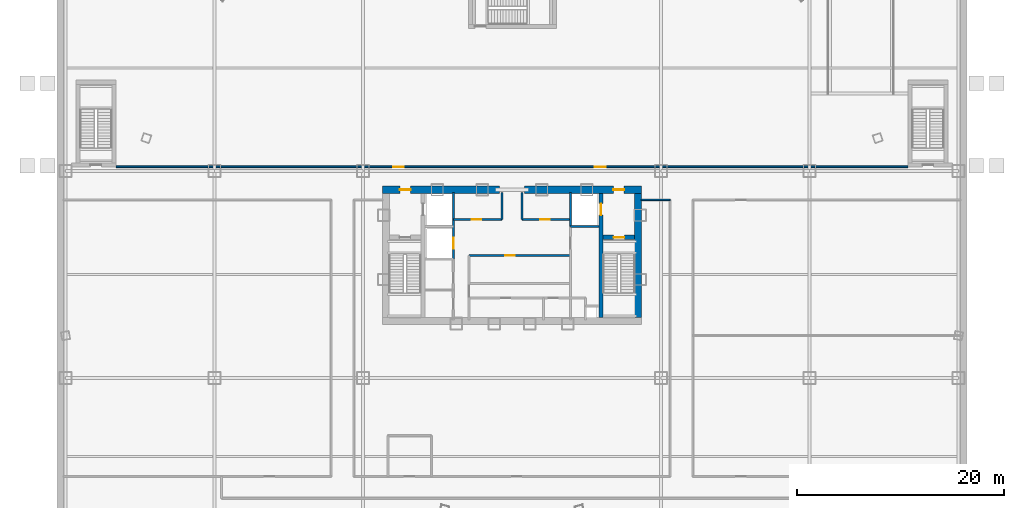
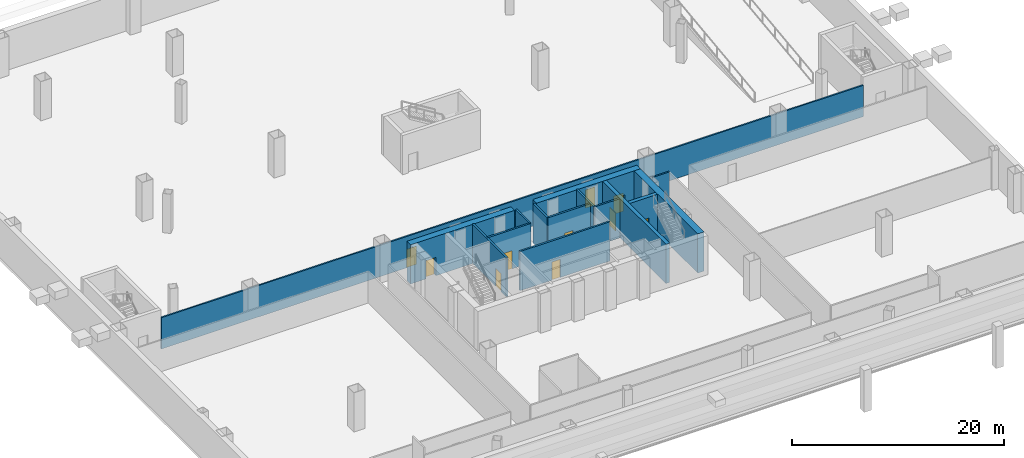
# One storey, part 10 of 16: 15 walls, 10 doors, 10 openings.
"""IFC4 building model written with IfcOpenShell, lengths in metres."""

import ifcopenshell
import ifcopenshell.guid

model = None  # the IFC model being written
_history = None  # IfcOwnerHistory: only IFC2X3 demands one
_inside = {}  # id of a spatial element -> (the spatial element, [elements in it])
_under = {}  # id of a project, library or spatial element -> (it, [spatial elements below it])
_declared = {}  # id of a project -> (the project, [libraries it declares])
_typed = {}  # id of a type object -> (the type object, [elements of that type])
_made_of = {}  # id of a material, layer set ... -> (it, [elements and type objects made of it])


def new_model(schema):
    """Start an empty IFC model of exactly this schema.

    Asked for "IFC4X3", IfcOpenShell would pick the latest addendum, in which some entities
    have other attributes; the version numbers below select the first issue.
    IFC2X3 requires an IfcOwnerHistory on every rooted entity: one is made here for all.
    """
    global model, _history
    if schema == "IFC4X3":
        model = ifcopenshell.file(schema_version=(4, 3, 0, 0))
    else:
        model = ifcopenshell.file(schema=schema)
    _inside.clear()
    _under.clear()
    _declared.clear()
    _typed.clear()
    _made_of.clear()
    _history = None
    if model.schema == "IFC2X3":
        org = make("IfcOrganization", Name="unknown")
        user = make(
            "IfcPersonAndOrganization",
            ThePerson=make("IfcPerson", FamilyName="unknown"),
            TheOrganization=org,
        )
        app = make(
            "IfcApplication",
            ApplicationDeveloper=org,
            Version="unknown",
            ApplicationFullName="unknown",
            ApplicationIdentifier="unknown",
        )
        _history = make(
            "IfcOwnerHistory",
            OwningUser=user,
            OwningApplication=app,
            ChangeAction="ADDED",
            CreationDate=0,
        )
    return model


def make(cls, **values):
    """One entity of the class cls with the attributes given. An attribute that is None is left unset."""
    return model.create_entity(
        cls, **{name: value for name, value in values.items() if value is not None}
    )


def rooted(cls, **values):
    """An entity with a GlobalId (a new one), such as an element, a storey or a relation."""
    return make(cls, GlobalId=ifcopenshell.guid.new(), OwnerHistory=_history, **values)


def si_unit(unit_type, name, prefix=None):
    """IfcSIUnit, for example si_unit("LENGTHUNIT", "METRE", prefix="MILLI")."""
    return make("IfcSIUnit", UnitType=unit_type, Prefix=prefix, Name=name)


def assignment(units):
    """IfcUnitAssignment: the units of a project."""
    return None if units is None else make("IfcUnitAssignment", Units=units)


def point(xyz):
    """IfcCartesianPoint."""
    return None if xyz is None else make("IfcCartesianPoint", Coordinates=xyz)


def direction(xyz):
    """IfcDirection."""
    return None if xyz is None else make("IfcDirection", DirectionRatios=xyz)


def frame(location, z_axis=None, x_axis=None):
    """IfcAxis2Placement3D, a coordinate frame: its origin and axes. An axis left out is left unset."""
    return make(
        "IfcAxis2Placement3D",
        Location=point(location),
        Axis=direction(z_axis),
        RefDirection=direction(x_axis),
    )


def frame_2d(location, x_axis=None):
    """IfcAxis2Placement2D, a coordinate frame in the plane: its origin and x axis."""
    return make(
        "IfcAxis2Placement2D", Location=point(location), RefDirection=direction(x_axis)
    )


def origin():
    """The frame at (0, 0, 0) with its axes left unset."""
    return frame((0.0, 0.0, 0.0))


def origin_with_axes():
    """The frame at (0, 0, 0) with the z axis (0, 0, 1) and the x axis (1, 0, 0) written out."""
    return frame((0.0, 0.0, 0.0), z_axis=(0.0, 0.0, 1.0), x_axis=(1.0, 0.0, 0.0))


def place(relative_to, where):
    """IfcLocalPlacement: puts the frame where relative to a parent placement (None: the world)."""
    return make(
        "IfcLocalPlacement", PlacementRelTo=relative_to, RelativePlacement=where
    )


def context(
    kind, dimensions, precision=None, world=None, true_north=None, identifier=None
):
    """IfcGeometricRepresentationContext, for example the 3D "Model" context."""
    return make(
        "IfcGeometricRepresentationContext",
        ContextIdentifier=identifier,
        ContextType=kind,
        CoordinateSpaceDimension=dimensions,
        Precision=precision,
        WorldCoordinateSystem=world,
        TrueNorth=true_north,
    )


def subcontext(parent, identifier, kind, view, scale=None):
    """IfcGeometricRepresentationSubContext, for example "Body" below "Model"."""
    return make(
        "IfcGeometricRepresentationSubContext",
        ContextIdentifier=identifier,
        ContextType=kind,
        ParentContext=parent,
        TargetScale=scale,
        TargetView=view,
    )


def project(units=None, contexts=None):
    """IfcProject with its units and contexts."""
    return rooted(
        "IfcProject",
        Name="project",
        RepresentationContexts=contexts,
        UnitsInContext=assignment(units),
    )


def spatial(cls, under=None, at=None, **own):
    """A site, building, storey or space (cls), placed at a placement, below another one or the project."""
    s = rooted(cls, ObjectPlacement=at, **own)
    if under is not None:
        _under.setdefault(under.id(), (under, []))[1].append(s)
    return s


def profile(cls, at=None, kind="AREA", **sizes):
    """A parametric profile (cls). Its sizes go by their IFC names, for example OverallWidth=200.0."""
    return make(cls, ProfileType=kind, Position=at, **sizes)


def rectangle(**sizes):
    """IfcRectangleProfileDef."""
    return profile("IfcRectangleProfileDef", **sizes)


def extrude(swept, where, along, depth):
    """IfcExtrudedAreaSolid: the profile swept, set in the frame where, extruded along a direction by depth."""
    return make(
        "IfcExtrudedAreaSolid",
        SweptArea=swept,
        Position=where,
        ExtrudedDirection=direction(along),
        Depth=depth,
    )


def shape(context_of_items, identifier, shape_type, items):
    """IfcShapeRepresentation: the items that make up one representation, for example the "Body"."""
    return make(
        "IfcShapeRepresentation",
        ContextOfItems=context_of_items,
        RepresentationIdentifier=identifier,
        RepresentationType=shape_type,
        Items=items,
    )


def source(mapping_origin, context_of_items, identifier, shape_type, items):
    """IfcRepresentationMap: a shape defined once, which mapped items show again and again."""
    return make(
        "IfcRepresentationMap",
        MappingOrigin=mapping_origin,
        MappedRepresentation=shape(context_of_items, identifier, shape_type, items),
    )


def transform(
    local_origin,
    x_axis=None,
    y_axis=None,
    z_axis=None,
    scale=None,
    scale2=None,
    scale3=None,
    uniform=True,
):
    """IfcCartesianTransformationOperator3D, or its non-uniform kind. x_axis, y_axis, z_axis: its Axis1, 2, 3."""
    if uniform:
        return make(
            "IfcCartesianTransformationOperator3D",
            Axis1=direction(x_axis),
            Axis2=direction(y_axis),
            LocalOrigin=point(local_origin),
            Scale=scale,
            Axis3=direction(z_axis),
        )
    return make(
        "IfcCartesianTransformationOperator3DnonUniform",
        Axis1=direction(x_axis),
        Axis2=direction(y_axis),
        LocalOrigin=point(local_origin),
        Scale=scale,
        Axis3=direction(z_axis),
        Scale2=scale2,
        Scale3=scale3,
    )


def mapped(mapping_source, mapping_target):
    """IfcMappedItem: shows the shape of a source again, moved by a transform."""
    return make(
        "IfcMappedItem", MappingSource=mapping_source, MappingTarget=mapping_target
    )


def material(Name=None, Category=None):
    """IfcMaterial."""
    return make("IfcMaterial", Name=Name, Category=Category)


def layer(
    of_material, thickness, ventilated=None, Name=None, Category=None, Priority=None
):
    """IfcMaterialLayer: one layer of a wall or slab, of a material (None: an air gap)."""
    return make(
        "IfcMaterialLayer",
        Material=of_material,
        LayerThickness=thickness,
        IsVentilated=ventilated,
        Name=Name,
        Category=Category,
        Priority=Priority,
    )


def layer_set(layers, Name=None):
    """IfcMaterialLayerSet."""
    return make("IfcMaterialLayerSet", MaterialLayers=layers, LayerSetName=Name)


def made_of(thing, what):
    """Note that an element or type object is made of a material, layer set ...; save() writes the relation."""
    if what is not None:
        _made_of.setdefault(what.id(), (what, []))[1].append(thing)
    return thing


def type_object(cls, material=None, **own):
    """A type object (cls), such as IfcWallType, which elements share."""
    return made_of(rooted(cls, **own), material)


def element(
    cls,
    number,
    at=None,
    inside=None,
    cuts=None,
    type_object=None,
    material=None,
    context=None,
    identifier="Body",
    shape_type=None,
    held_by="IfcProductDefinitionShape",
    body=None,
    shapes=None,
    **own,
):
    """One element of the class cls, such as IfcWall. Its Tag is "e" and its number.

    at: its placement. inside: the storey or other place that contains it. cuts: it is an
    opening in that element (IfcRelVoidsElement). A single representation is given by context,
    identifier, shape_type and body (its items); several are given by shapes. held_by: the class
    of the entity that holds the representations. save() writes the other relations.
    """
    e = rooted(cls, Tag="e%d" % number, ObjectPlacement=at, **own)
    if body is not None:
        shapes = [shape(context, identifier, shape_type, body)]
    if shapes is not None:
        e.Representation = make(held_by, Representations=shapes)
    if inside is not None:
        _inside.setdefault(inside.id(), (inside, []))[1].append(e)
    if cuts is not None:
        rooted(
            "IfcRelVoidsElement", RelatingBuildingElement=cuts, RelatedOpeningElement=e
        )
    if type_object is not None:
        _typed.setdefault(type_object.id(), (type_object, []))[1].append(e)
    return made_of(e, material)


def fill(opening, filler):
    """IfcRelFillsElement: the door or window that sits in an opening."""
    return rooted(
        "IfcRelFillsElement",
        RelatingOpeningElement=opening,
        RelatedBuildingElement=filler,
    )


def aggregate(whole, parts):
    """IfcRelAggregates: a whole, such as a stair, and the parts it consists of."""
    return rooted("IfcRelAggregates", RelatingObject=whole, RelatedObjects=parts)


def save(model, path):
    """Write the relations noted so far, then the file.

    IfcRelAggregates (storeys below a building ...), IfcRelContainedInSpatialStructure (elements
    in a storey), IfcRelDefinesByType, IfcRelAssociatesMaterial and IfcRelDeclares: one each for
    every whole, place, type object, material and project.
    """
    for whole, parts in _under.values():
        aggregate(whole, parts)
    for where, things in _inside.values():
        rooted(
            "IfcRelContainedInSpatialStructure",
            RelatedElements=things,
            RelatingStructure=where,
        )
    for kind, things in _typed.values():
        rooted("IfcRelDefinesByType", RelatedObjects=things, RelatingType=kind)
    for what, things in _made_of.values():
        rooted("IfcRelAssociatesMaterial", RelatedObjects=things, RelatingMaterial=what)
    for by, libraries in _declared.values():
        rooted("IfcRelDeclares", RelatingContext=by, RelatedDefinitions=libraries)
    model.write(path)


model = new_model("IFC4")

# Units and contexts
model_context = context("Model", 3, precision=1e-05, world=origin(), true_north=direction((0.0, 1.0)))
body_context = subcontext(model_context, "Body", "Model", "MODEL_VIEW")
ifc_project = project(units=[si_unit("LENGTHUNIT", "METRE"), si_unit("AREAUNIT", "SQUARE_METRE"), si_unit("VOLUMEUNIT", "CUBIC_METRE"), si_unit("PLANEANGLEUNIT", "RADIAN"), si_unit("MASSUNIT", "GRAM", prefix="KILO"), si_unit("THERMODYNAMICTEMPERATUREUNIT", "KELVIN"), si_unit("POWERUNIT", "WATT")], contexts=[model_context])

# Site, building, storey
site_placement = place(None, origin())
site = spatial("IfcSite", under=ifc_project, at=site_placement, CompositionType="ELEMENT")
building_placement = place(site_placement, origin())
building = spatial("IfcBuilding", under=site, at=building_placement, Name="Yunzhuo Pagoda Commons", CompositionType="ELEMENT")
storey_placement = place(building_placement, frame((0.0, 0.0, -4.800048828125)))
storey = spatial("IfcBuildingStorey", under=building, at=storey_placement, Name="B01", CompositionType="ELEMENT", Elevation=-4.800048828125)

# Wall, opening, door
ifc_material_1 = material(Name="Concrete C60", Category="concrete")
ifc_layer_1 = layer(ifc_material_1, 0.699951171875)
ifc_layer_set_1 = layer_set([ifc_layer_1], Name="Concrete C60")
wall_type_1 = type_object("IfcWallType", Name="W-C01 Lower Core Shear Wall 700", PredefinedType="SHEAR", material=ifc_layer_set_1)
wall_1_placement = place(storey_placement, frame((35.449951171875, 40.199951171875, 0.0), z_axis=(0.0, 0.0, 1.0), x_axis=(1.0, 0.0, 0.0)))
wall_1 = element("IfcWall", 1, at=wall_1_placement, inside=storey, type_object=wall_type_1, Name="B01 core shear wall NW", PredefinedType="SHEAR", context=body_context, shape_type="SweptSolid", body=[
    extrude(rectangle(XDim=11.35009765625, YDim=0.699951171875, at=frame_2d((5.675048828125, 0.0))), origin(), (0.0, 0.0, 1.0), 4.52001953125),
])
opening_1_placement = place(wall_1_placement, frame((1.699951171875, 0.0, 0.0)))
opening_1 = element("IfcOpeningElement", 2, at=opening_1_placement, cuts=wall_1, Name="Opening D-02", PredefinedType="OPENING", context=body_context, shape_type="SweptSolid", body=[
    extrude(rectangle(XDim=1.050048828125, YDim=2.10009765625, at=frame_2d((0.52490234375, 1.050048828125))), frame((0.0, 0.35986328125, 0.0), z_axis=(0.0, -1.0, 0.0), x_axis=(1.0, 0.0, 0.0)), (0.0, 0.0, 1.0), 0.719970703125),
])
ifc_material_2 = material(Name="Galvanized fire-resisting metal leaf")
door_type_1 = type_object("IfcDoorType", Name="D-02 Firefighting Lobby & Refuge Fire Door 1050x2100", OperationType="NOTDEFINED", PredefinedType="DOOR", material=ifc_material_2)
shared_shape_1 = source(origin(), body_context, "Body", "SweptSolid", [
    extrude(rectangle(XDim=1.050048828125, YDim=2.10009765625, at=frame_2d((0.52490234375, 1.050048828125))), frame((0.0, 0.02490234375, 0.0), z_axis=(0.0, -1.0, 0.0), x_axis=(1.0, 0.0, 0.0)), (0.0, 0.0, 1.0), 0.050048828125),
])
door_1_placement = place(opening_1_placement, frame((1.050048828125, 0.0, 0.0), z_axis=(0.0, 0.0, 1.0), x_axis=(-1.0, 0.0, 0.0)))
door_1 = element("IfcDoor", 3, at=door_1_placement, inside=storey, type_object=door_type_1, Name="B01 Firefighting Lobby 1 fire door", OperationType="SINGLE_SWING_LEFT", OverallHeight=2.10009765625, OverallWidth=1.050048828125, PredefinedType="DOOR", context=body_context, shape_type="MappedRepresentation", body=[
    mapped(shared_shape_1, transform((0.0, 0.0, 0.0), scale=1.0)),
])
fill(opening_1, door_1)

wall_2_placement = place(storey_placement, frame((49.199951171875, 40.199951171875, 0.0), z_axis=(0.0, 0.0, 1.0), x_axis=(1.0, 0.0, 0.0)))
wall_2 = element("IfcWall", 4, at=wall_2_placement, inside=storey, type_object=wall_type_1, Name="B01 core shear wall NE", PredefinedType="SHEAR", context=body_context, shape_type="SweptSolid", body=[
    extrude(rectangle(XDim=11.35009765625, YDim=0.699951171875, at=frame_2d((5.675048828125, 0.0))), origin(), (0.0, 0.0, 1.0), 4.52001953125),
])
opening_2_placement = place(wall_2_placement, frame((8.60009765625, 0.0, 0.0)))
opening_2 = element("IfcOpeningElement", 5, at=opening_2_placement, cuts=wall_2, Name="Opening D-02", PredefinedType="OPENING", context=body_context, shape_type="SweptSolid", body=[
    extrude(rectangle(XDim=1.050048828125, YDim=2.10009765625, at=frame_2d((0.52490234375, 1.050048828125))), frame((0.0, 0.35986328125, 0.0), z_axis=(0.0, -1.0, 0.0), x_axis=(1.0, 0.0, 0.0)), (0.0, 0.0, 1.0), 0.719970703125),
])
door_2_placement = place(opening_2_placement, frame((1.050048828125, 0.0, 0.0), z_axis=(0.0, 0.0, 1.0), x_axis=(-1.0, 0.0, 0.0)))
door_2 = element("IfcDoor", 6, at=door_2_placement, inside=storey, type_object=door_type_1, Name="B01 Firefighting Lobby 2 fire door", OperationType="SINGLE_SWING_RIGHT", OverallHeight=2.10009765625, OverallWidth=1.050048828125, PredefinedType="DOOR", context=body_context, shape_type="MappedRepresentation", body=[
    mapped(shared_shape_1, transform((0.0, 0.0, 0.0), scale=1.0)),
])
fill(opening_2, door_2)

# Wall
wall_3_placement = place(storey_placement, frame((60.199951171875, 27.85009765625, 0.0), z_axis=(0.0, 0.0, 1.0), x_axis=(0.0, 1.0, 0.0)))
element("IfcWall", 7, at=wall_3_placement, inside=storey, type_object=wall_type_1, Name="B01 core shear wall E", PredefinedType="SHEAR", context=body_context, shape_type="SweptSolid", body=[
    extrude(rectangle(XDim=12.0, YDim=0.699951171875, at=frame_2d((6.0, 0.0))), origin(), (0.0, 0.0, 1.0), 4.52001953125),
])

# Wall, openings, doors
ifc_material_3 = material(Name="Gypsum plasterboard on acoustic stud")
ifc_layer_2 = layer(ifc_material_3, 0.159912109375)
ifc_layer_set_2 = layer_set([ifc_layer_2], Name="Gypsum plasterboard on acoustic stud")
wall_type_2 = type_object("IfcWallType", Name="W-COR1 Tower Rated Corridor Wall 160", PredefinedType="PARTITIONING", material=ifc_layer_set_2)
wall_4_placement = place(storey_placement, frame((9.699951171875, 42.419921875, 0.0), z_axis=(0.0, 0.0, 1.0), x_axis=(1.0, 0.0, 0.0)))
wall_4 = element("IfcWall", 8, at=wall_4_placement, inside=storey, type_object=wall_type_2, Name="B01 interior wall IW-B01-CPSEPW", PredefinedType="PARTITIONING", context=body_context, shape_type="SweptSolid", body=[
    extrude(rectangle(XDim=76.60009765625, YDim=0.159912109375, at=frame_2d((38.300048828125, 0.0))), origin(), (0.0, 0.0, 1.0), 3.6201171875),
])
opening_3_placement = place(wall_4_placement, frame((26.800048828125, 0.0, 0.0)))
opening_3 = element("IfcOpeningElement", 9, at=opening_3_placement, cuts=wall_4, Name="Opening D-02", PredefinedType="OPENING", context=body_context, shape_type="SweptSolid", body=[
    extrude(rectangle(XDim=1.050048828125, YDim=2.10009765625, at=frame_2d((0.52490234375, 1.050048828125))), frame((0.0, 0.08984375, 0.0), z_axis=(0.0, -1.0, 0.0), x_axis=(1.0, 0.0, 0.0)), (0.0, 0.0, 1.0), 0.179931640625),
])
opening_4_placement = place(wall_4_placement, frame((46.300048828125, 0.0, 0.0)))
opening_4 = element("IfcOpeningElement", 10, at=opening_4_placement, cuts=wall_4, Name="Opening D-02", PredefinedType="OPENING", context=body_context, shape_type="SweptSolid", body=[
    extrude(rectangle(XDim=1.050048828125, YDim=2.10009765625, at=frame_2d((0.52490234375, 1.050048828125))), frame((0.0, 0.08984375, 0.0), z_axis=(0.0, -1.0, 0.0), x_axis=(1.0, 0.0, 0.0)), (0.0, 0.0, 1.0), 0.179931640625),
])
door_3_placement = place(opening_3_placement, origin_with_axes())
door_3 = element("IfcDoor", 11, at=door_3_placement, inside=storey, type_object=door_type_1, Name="B01 car park vestibule door W", OperationType="SINGLE_SWING_LEFT", OverallHeight=2.10009765625, OverallWidth=1.050048828125, PredefinedType="DOOR", context=body_context, shape_type="MappedRepresentation", body=[
    mapped(shared_shape_1, transform((0.0, 0.0, 0.0), scale=1.0)),
])
fill(opening_3, door_3)
door_4_placement = place(opening_4_placement, origin_with_axes())
door_4 = element("IfcDoor", 12, at=door_4_placement, inside=storey, type_object=door_type_1, Name="B01 car park vestibule door E", OperationType="SINGLE_SWING_RIGHT", OverallHeight=2.10009765625, OverallWidth=1.050048828125, PredefinedType="DOOR", context=body_context, shape_type="MappedRepresentation", body=[
    mapped(shared_shape_1, transform((0.0, 0.0, 0.0), scale=1.0)),
])
fill(opening_4, door_4)

# Wall
wall_5_placement = place(storey_placement, frame((60.5, 39.219970703125, 0.0), z_axis=(0.0, 0.0, 1.0), x_axis=(1.0, 0.0, 0.0)))
element("IfcWall", 13, at=wall_5_placement, inside=storey, type_object=wall_type_2, Name="B01 interior wall IW-B01-SMNE", PredefinedType="PARTITIONING", context=body_context, shape_type="SweptSolid", body=[
    extrude(rectangle(XDim=2.800048828125, YDim=0.159912109375, at=frame_2d((1.39990234375, 0.0))), origin(), (0.0, 0.0, 1.0), 3.6201171875),
])

# Wall, opening, door
ifc_layer_3 = layer(ifc_material_1, 0.39990234375)
ifc_layer_set_3 = layer_set([ifc_layer_3], Name="Concrete C60")
wall_type_3 = type_object("IfcWallType", Name="W-S01 Internal Core Shear Web 400", PredefinedType="SHEAR", material=ifc_layer_set_3)
wall_6_placement = place(storey_placement, frame((56.60009765625, 27.85009765625, 0.0), z_axis=(0.0, 0.0, 1.0), x_axis=(0.0, 1.0, 0.0)))
wall_6 = element("IfcWall", 14, at=wall_6_placement, inside=storey, type_object=wall_type_3, Name="B01 core shear wall WEBE", PredefinedType="SHEAR", context=body_context, shape_type="SweptSolid", body=[
    extrude(rectangle(XDim=12.0, YDim=0.39990234375, at=frame_2d((6.0, 0.0))), origin(), (0.0, 0.0, 1.0), 4.52001953125),
])
opening_5_placement = place(wall_6_placement, frame((9.89990234375, 0.0, 0.0)))
opening_5 = element("IfcOpeningElement", 15, at=opening_5_placement, cuts=wall_6, Name="Opening LD-01", PredefinedType="OPENING", context=body_context, shape_type="SweptSolid", body=[
    extrude(rectangle(XDim=1.10009765625, YDim=2.10009765625, at=frame_2d((0.550048828125, 1.050048828125))), frame((0.0, 0.2099609375, 0.0), z_axis=(0.0, -1.0, 0.0), x_axis=(1.0, 0.0, 0.0)), (0.0, 0.0, 1.0), 0.419921875),
])
door_type_2 = type_object("IfcDoorType", Name="LD-01 Firefighting Lift Landing Door 1100x2100", OperationType="DOUBLE_DOOR_SLIDING", PredefinedType="DOOR", material=ifc_material_2)
shared_shape_2 = source(origin(), body_context, "Body", "SweptSolid", [
    extrude(rectangle(XDim=1.10009765625, YDim=2.10009765625, at=frame_2d((0.550048828125, 1.050048828125))), frame((0.0, 0.02490234375, 0.0), z_axis=(0.0, -1.0, 0.0), x_axis=(1.0, 0.0, 0.0)), (0.0, 0.0, 1.0), 0.050048828125),
])
door_5_placement = place(opening_5_placement, origin_with_axes())
door_5 = element("IfcDoor", 16, at=door_5_placement, inside=storey, type_object=door_type_2, Name="B01 Firefighting lift FL-2 landing door", OperationType="DOUBLE_DOOR_SLIDING", OverallHeight=2.10009765625, OverallWidth=1.10009765625, PredefinedType="DOOR", context=body_context, shape_type="MappedRepresentation", body=[
    mapped(shared_shape_2, transform((0.0, 0.0, 0.0), scale=1.0)),
])
fill(opening_5, door_5)

wall_7_placement = place(storey_placement, frame((56.800048828125, 35.60009765625, 0.0), z_axis=(0.0, 0.0, 1.0), x_axis=(1.0, 0.0, 0.0)))
wall_7 = element("IfcWall", 17, at=wall_7_placement, inside=storey, type_object=wall_type_3, Name="B01 core shear wall STE", PredefinedType="SHEAR", context=body_context, shape_type="SweptSolid", body=[
    extrude(rectangle(XDim=3.050048828125, YDim=0.39990234375, at=frame_2d((1.52490234375, 0.0))), origin(), (0.0, 0.0, 1.0), 4.52001953125),
])
opening_6_placement = place(wall_7_placement, frame((1.02001953125, 0.0, 0.0)))
opening_6 = element("IfcOpeningElement", 18, at=opening_6_placement, cuts=wall_7, Name="Opening D-01", PredefinedType="OPENING", context=body_context, shape_type="SweptSolid", body=[
    extrude(rectangle(XDim=1.050048828125, YDim=2.10009765625, at=frame_2d((0.52490234375, 1.050048828125))), frame((0.0, 0.2099609375, 0.0), z_axis=(0.0, -1.0, 0.0), x_axis=(1.0, 0.0, 0.0)), (0.0, 0.0, 1.0), 0.419921875),
])
door_type_3 = type_object("IfcDoorType", Name="D-01 Smokeproof Stair Fire Door 1050x2100", OperationType="NOTDEFINED", PredefinedType="DOOR", material=ifc_material_2)
door_6_placement = place(opening_6_placement, frame((1.050048828125, 0.0, 0.0), z_axis=(0.0, 0.0, 1.0), x_axis=(-1.0, 0.0, 0.0)))
door_6 = element("IfcDoor", 19, at=door_6_placement, inside=storey, type_object=door_type_3, Name="B01 Stair ST2 fire door", OperationType="SINGLE_SWING_RIGHT", OverallHeight=2.10009765625, OverallWidth=1.050048828125, PredefinedType="DOOR", context=body_context, shape_type="MappedRepresentation", body=[
    mapped(shared_shape_1, transform((0.0, 0.0, 0.0), scale=1.0)),
])
fill(opening_6, door_6)

ifc_material_4 = material(Name="Concrete C40", Category="concrete")
ifc_layer_4 = layer(ifc_material_4, 0.199951171875)
ifc_layer_set_4 = layer_set([ifc_layer_4], Name="Concrete C40")
wall_type_4 = type_object("IfcWallType", Name="W-SHF Shaft & Stair Enclosure Wall 200", PredefinedType="SOLIDWALL", material=ifc_layer_set_4)
wall_8_placement = place(storey_placement, frame((42.320068359375, 33.5, 0.0), z_axis=(0.0, 0.0, 1.0), x_axis=(0.0, 1.0, 0.0)))
wall_8 = element("IfcWall", 20, at=wall_8_placement, inside=storey, type_object=wall_type_4, Name="B01 interior wall IW-B01-FL1E", PredefinedType="SOLIDWALL", context=body_context, shape_type="SweptSolid", body=[
    extrude(rectangle(XDim=6.449951171875, YDim=0.199951171875, at=frame_2d((3.22509765625, 0.0))), origin(), (0.0, 0.0, 1.0), 4.52001953125),
])
opening_7_placement = place(wall_8_placement, frame((1.0, 0.0, 0.0)))
opening_7 = element("IfcOpeningElement", 21, at=opening_7_placement, cuts=wall_8, Name="Opening LD-02", PredefinedType="OPENING", context=body_context, shape_type="SweptSolid", body=[
    extrude(rectangle(XDim=1.050048828125, YDim=2.10009765625, at=frame_2d((0.52490234375, 1.050048828125))), frame((0.0, 0.10986328125, 0.0), z_axis=(0.0, -1.0, 0.0), x_axis=(1.0, 0.0, 0.0)), (0.0, 0.0, 1.0), 0.219970703125),
])
door_type_4 = type_object("IfcDoorType", Name="LD-02 Passenger Lift Landing Door 1050x2100", OperationType="DOUBLE_DOOR_SLIDING", PredefinedType="DOOR", material=ifc_material_2)
door_7_placement = place(opening_7_placement, origin_with_axes())
door_7 = element("IfcDoor", 22, at=door_7_placement, inside=storey, type_object=door_type_4, Name="B01 Service lift SL-1 landing door", OperationType="DOUBLE_DOOR_SLIDING", OverallHeight=2.10009765625, OverallWidth=1.050048828125, PredefinedType="DOOR", context=body_context, shape_type="MappedRepresentation", body=[
    mapped(shared_shape_1, transform((0.0, 0.0, 0.0), scale=1.0)),
])
fill(opening_7, door_7)

# Walls
wall_9_placement = place(storey_placement, frame((53.679931640625, 36.64990234375, 0.0), z_axis=(0.0, 0.0, 1.0), x_axis=(0.0, 1.0, 0.0)))
element("IfcWall", 23, at=wall_9_placement, inside=storey, type_object=wall_type_4, Name="B01 interior wall IW-B01-FL2W", PredefinedType="SOLIDWALL", context=body_context, shape_type="SweptSolid", body=[
    extrude(rectangle(XDim=3.300048828125, YDim=0.199951171875, at=frame_2d((1.64990234375, 0.0))), origin(), (0.0, 0.0, 1.0), 4.52001953125),
])
wall_10_placement = place(storey_placement, frame((53.679931640625, 36.64990234375, 0.0), z_axis=(0.0, 0.0, 1.0), x_axis=(1.0, 0.0, 0.0)))
element("IfcWall", 24, at=wall_10_placement, inside=storey, type_object=wall_type_4, Name="B01 interior wall IW-B01-FL2S", PredefinedType="SOLIDWALL", context=body_context, shape_type="SweptSolid", body=[
    extrude(rectangle(XDim=2.719970703125, YDim=0.199951171875, at=frame_2d((1.35986328125, 0.0))), origin(), (0.0, 0.0, 1.0), 4.52001953125),
])

# Wall, opening, door
wall_11_placement = place(storey_placement, frame((42.320068359375, 37.320068359375, 0.0), z_axis=(0.0, 0.0, 1.0), x_axis=(1.0, 0.0, 0.0)))
wall_11 = element("IfcWall", 25, at=wall_11_placement, inside=storey, type_object=wall_type_4, Name="B01 interior wall IW-B01-LBNW", PredefinedType="SOLIDWALL", context=body_context, shape_type="SweptSolid", body=[
    extrude(rectangle(XDim=4.72998046875, YDim=0.199951171875, at=frame_2d((2.364990234375, 0.0))), origin(), (0.0, 0.0, 1.0), 4.52001953125),
])
opening_8_placement = place(wall_11_placement, frame((1.800048828125, 0.0, 0.0)))
opening_8 = element("IfcOpeningElement", 26, at=opening_8_placement, cuts=wall_11, Name="Opening D-03", PredefinedType="OPENING", context=body_context, shape_type="SweptSolid", body=[
    extrude(rectangle(XDim=0.89990234375, YDim=2.10009765625, at=frame_2d((0.449951171875, 1.050048828125))), frame((0.0, 0.10986328125, 0.0), z_axis=(0.0, -1.0, 0.0), x_axis=(1.0, 0.0, 0.0)), (0.0, 0.0, 1.0), 0.219970703125),
])
door_type_5 = type_object("IfcDoorType", Name="D-03 Core Service Fire Door 900x2100", OperationType="NOTDEFINED", PredefinedType="DOOR", material=ifc_material_2)
shared_shape_3 = source(origin(), body_context, "Body", "SweptSolid", [
    extrude(rectangle(XDim=0.89990234375, YDim=2.10009765625, at=frame_2d((0.449951171875, 1.050048828125))), frame((0.0, 0.02490234375, 0.0), z_axis=(0.0, -1.0, 0.0), x_axis=(1.0, 0.0, 0.0)), (0.0, 0.0, 1.0), 0.050048828125),
])
door_8_placement = place(opening_8_placement, frame((0.89990234375, 0.0, 0.0), z_axis=(0.0, 0.0, 1.0), x_axis=(-1.0, 0.0, 0.0)))
door_8 = element("IfcDoor", 27, at=door_8_placement, inside=storey, type_object=door_type_5, Name="B01 core electrical closet door", OperationType="SINGLE_SWING_LEFT", OverallHeight=2.10009765625, OverallWidth=0.89990234375, PredefinedType="DOOR", context=body_context, shape_type="MappedRepresentation", body=[
    mapped(shared_shape_3, transform((0.0, 0.0, 0.0), scale=1.0)),
])
fill(opening_8, door_8)

wall_12_placement = place(storey_placement, frame((48.949951171875, 37.320068359375, 0.0), z_axis=(0.0, 0.0, 1.0), x_axis=(1.0, 0.0, 0.0)))
wall_12 = element("IfcWall", 28, at=wall_12_placement, inside=storey, type_object=wall_type_4, Name="B01 interior wall IW-B01-LBNE", PredefinedType="SOLIDWALL", context=body_context, shape_type="SweptSolid", body=[
    extrude(rectangle(XDim=4.72998046875, YDim=0.199951171875, at=frame_2d((2.364990234375, 0.0))), origin(), (0.0, 0.0, 1.0), 4.52001953125),
])
opening_9_placement = place(wall_12_placement, frame((1.800048828125, 0.0, 0.0)))
opening_9 = element("IfcOpeningElement", 29, at=opening_9_placement, cuts=wall_12, Name="Opening D-03", PredefinedType="OPENING", context=body_context, shape_type="SweptSolid", body=[
    extrude(rectangle(XDim=0.89990234375, YDim=2.10009765625, at=frame_2d((0.449951171875, 1.050048828125))), frame((0.0, 0.10986328125, 0.0), z_axis=(0.0, -1.0, 0.0), x_axis=(1.0, 0.0, 0.0)), (0.0, 0.0, 1.0), 0.219970703125),
])
door_9_placement = place(opening_9_placement, frame((0.89990234375, 0.0, 0.0), z_axis=(0.0, 0.0, 1.0), x_axis=(-1.0, 0.0, 0.0)))
door_9 = element("IfcDoor", 30, at=door_9_placement, inside=storey, type_object=door_type_5, Name="B01 core valve store door", OperationType="SINGLE_SWING_RIGHT", OverallHeight=2.10009765625, OverallWidth=0.89990234375, PredefinedType="DOOR", context=body_context, shape_type="MappedRepresentation", body=[
    mapped(shared_shape_3, transform((0.0, 0.0, 0.0), scale=1.0)),
])
fill(opening_9, door_9)

# Walls
for number, where, z_axis, x_axis, name in (
    (31, (47.050048828125, 37.320068359375, 0.0), (0.0, 0.0, 1.0), (0.0, 1.0, 0.0), "B01 interior wall IW-B01-THRW"),
    (32, (48.949951171875, 37.320068359375, 0.0), (0.0, 0.0, 1.0), (0.0, 1.0, 0.0), "B01 interior wall IW-B01-THRE"),
):
    element("IfcWall", number, at=place(storey_placement, frame(where, z_axis=z_axis, x_axis=x_axis)), inside=storey, type_object=wall_type_4, Name=name, PredefinedType="SOLIDWALL", context=body_context, shape_type="SweptSolid", body=[
        extrude(rectangle(XDim=2.6298828125, YDim=0.199951171875, at=frame_2d((1.31494140625, 0.0))), origin(), (0.0, 0.0, 1.0), 4.52001953125),
    ])

# Wall, opening, door
wall_13_placement = place(storey_placement, frame((43.85009765625, 33.820068359375, 0.0), z_axis=(0.0, 0.0, 1.0), x_axis=(1.0, 0.0, 0.0)))
wall_13 = element("IfcWall", 33, at=wall_13_placement, inside=storey, type_object=wall_type_4, Name="B01 interior wall IW-B01-MLBS", PredefinedType="SOLIDWALL", context=body_context, shape_type="SweptSolid", body=[
    extrude(rectangle(XDim=9.829833984375, YDim=0.199951171875, at=frame_2d((4.9150390625, 0.0))), origin(), (0.0, 0.0, 1.0), 4.52001953125),
])
opening_10_placement = place(wall_13_placement, frame((3.5, 0.0, 0.0)))
opening_10 = element("IfcOpeningElement", 34, at=opening_10_placement, cuts=wall_13, Name="Opening D-03", PredefinedType="OPENING", context=body_context, shape_type="SweptSolid", body=[
    extrude(rectangle(XDim=0.89990234375, YDim=2.10009765625, at=frame_2d((0.449951171875, 1.050048828125))), frame((0.0, 0.10986328125, 0.0), z_axis=(0.0, -1.0, 0.0), x_axis=(1.0, 0.0, 0.0)), (0.0, 0.0, 1.0), 0.219970703125),
])
door_10_placement = place(opening_10_placement, origin_with_axes())
door_10 = element("IfcDoor", 35, at=door_10_placement, inside=storey, type_object=door_type_5, Name="B01 comms closet door", OperationType="SINGLE_SWING_LEFT", OverallHeight=2.10009765625, OverallWidth=0.89990234375, PredefinedType="DOOR", context=body_context, shape_type="MappedRepresentation", body=[
    mapped(shared_shape_3, transform((0.0, 0.0, 0.0), scale=1.0)),
])
fill(opening_10, door_10)

save(model, "model.ifc")
